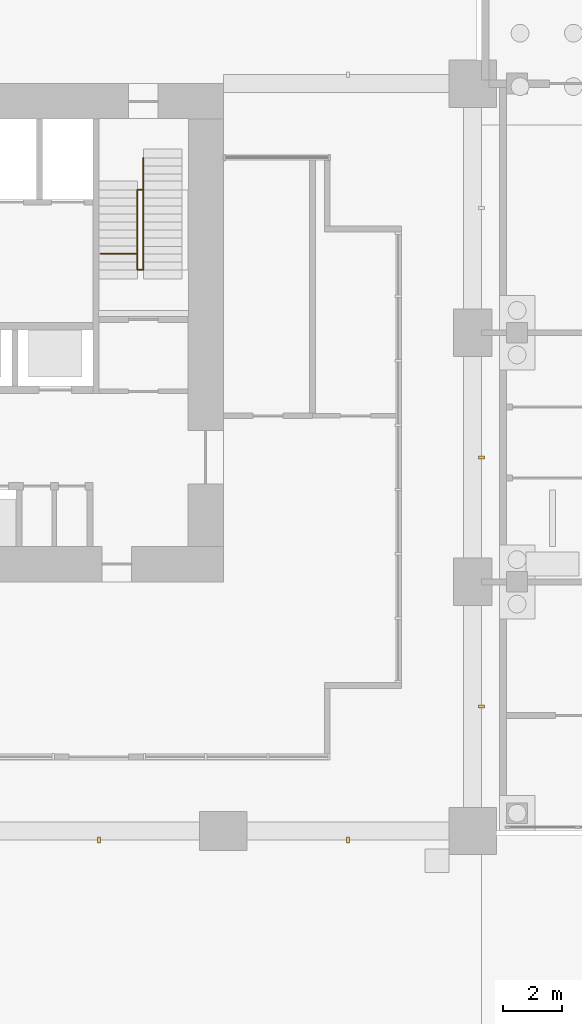
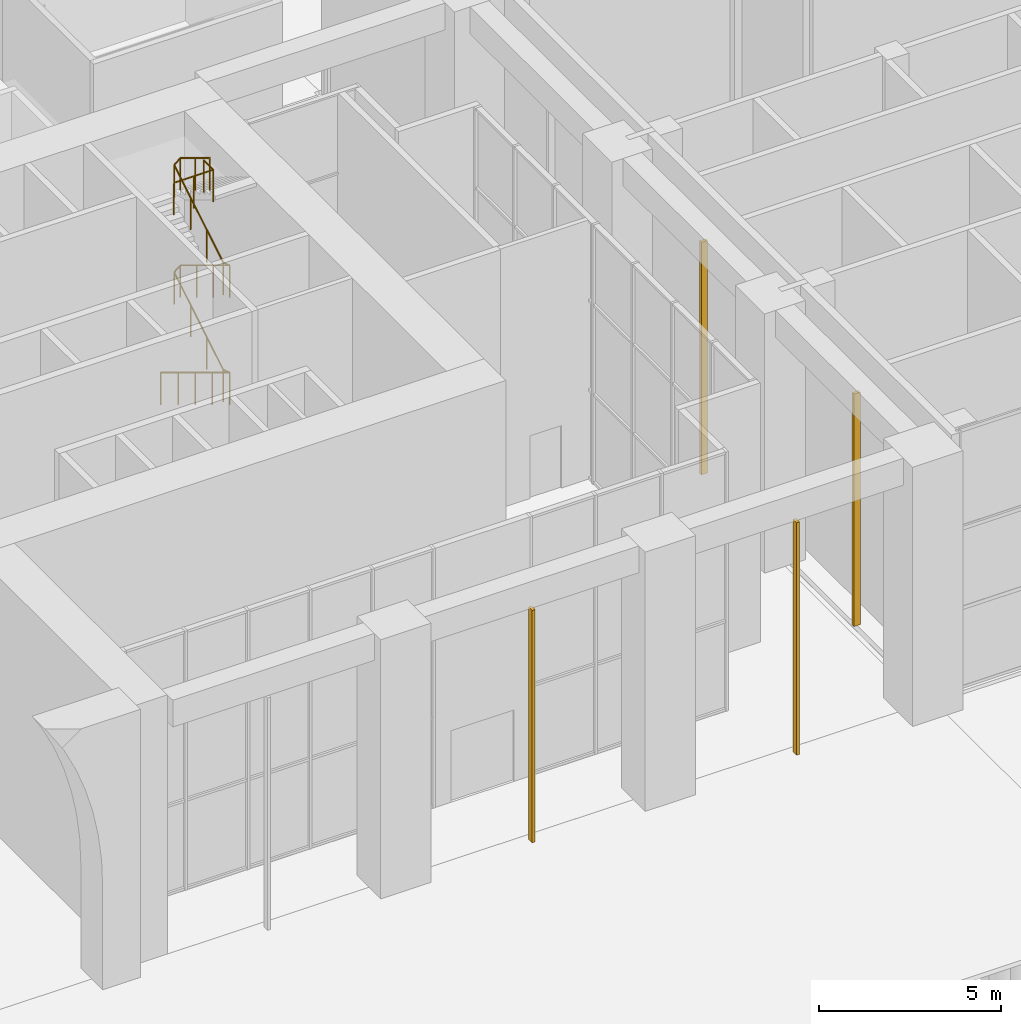
# One storey, part 37 of 46: 4 shading devices, 2 railings.
"""IFC4 building model written with IfcOpenShell, lengths in metres."""

from ifc_helpers import new_model, si_unit, direction, frame, origin, origin_2d, place, context, subcontext, project, spatial, rectangle, circle, extrude, material, material_profile, profile_set, type_object, element, save


model = new_model("IFC4")

# Units and contexts
model_context = context("Model", 3, precision=1e-05, world=origin(), true_north=direction((0.0, 1.0)))
body_context = subcontext(model_context, "Body", "Model", "MODEL_VIEW")
ifc_project = project(units=[si_unit("LENGTHUNIT", "METRE"), si_unit("AREAUNIT", "SQUARE_METRE"), si_unit("VOLUMEUNIT", "CUBIC_METRE"), si_unit("PLANEANGLEUNIT", "RADIAN"), si_unit("MASSUNIT", "GRAM", prefix="KILO")], contexts=[model_context])

# Site, building, storey
site_placement = place(None, origin())
site = spatial("IfcSite", under=ifc_project, at=site_placement, CompositionType="ELEMENT")
building_placement = place(site_placement, origin())
building = spatial("IfcBuilding", under=site, at=building_placement, Name="Vermilion Gate Residences", CompositionType="ELEMENT")
storey_placement = place(building_placement, origin())
storey = spatial("IfcBuildingStorey", under=building, at=storey_placement, Name="L00", CompositionType="ELEMENT", Elevation=0.0)

# Railings
ifc_material_1 = material(Name="Steel S355", Category="steel")
railing_type = type_object("IfcRailingType", Name="STAIR GUARD 1100 STEEL", PredefinedType="GUARDRAIL", material=ifc_material_1)
railing_1_placement = place(storey_placement, frame((56.10009765625, 22.699951171875, 0.16357421875)))
element("IfcRailing", 1, at=railing_1_placement, inside=storey, type_object=railing_type, Name="Stair well guard STA2-00", PredefinedType="GUARDRAIL", context=body_context, shape_type="SweptSolid", body=[
    extrude(circle(Radius=0.02392578125, at=origin_2d()), frame((0.0, 0.0, 1.076171875), z_axis=(0.0, -0.855188928692, 0.518316405531), x_axis=(1.0, 0.0, 0.0)), (0.0, 0.0, 1.0), 4.420166015625),
    extrude(circle(Radius=0.02392578125, at=origin_2d()), frame((0.0, -3.780029296875, 3.3671875), z_axis=(-0.774377884268, 0.0, 0.632723393243), x_axis=(0.0, -1.0, 0.0)), (0.0, 0.0, 1.0), 0.258544921875),
    extrude(circle(Radius=0.02392578125, at=origin_2d()), frame((-0.2001953125, -3.780029296875, 3.53076171875), z_axis=(0.0, 0.85519887015, 0.518300002406), x_axis=(-1.0, 0.0, 0.0)), (0.0, 0.0, 1.0), 3.157470703125),
    extrude(circle(Radius=0.02392578125, at=origin_2d()), frame((-0.2001953125, -1.079833984375, 5.1669921875), z_axis=(0.774377884268, 0.0, 0.632723393243), x_axis=(0.0, 1.0, 0.0)), (0.0, 0.0, 1.0), 0.258544921875),
    extrude(circle(Radius=0.02392578125, at=origin_2d()), frame((0.0, -1.079833984375, 5.33056640625), z_axis=(0.0, -0.855233143301, 0.518243447233), x_axis=(1.0, 0.0, 0.0)), (0.0, 0.0, 1.0), 3.1572265625),
    extrude(circle(Radius=0.02392578125, at=origin_2d()), frame((0.0, -3.780029296875, 6.966796875), z_axis=(-0.773915247043, 0.0, 0.633289183861), x_axis=(0.0, -1.0, 0.0)), (0.0, 0.0, 1.0), 0.2587890625),
    extrude(circle(Radius=0.02392578125, at=origin_2d()), frame((-0.2001953125, -3.780029296875, 7.130859375), z_axis=(0.0, 0.855233143301, 0.518243447233), x_axis=(-1.0, 0.0, 0.0)), (0.0, 0.0, 1.0), 3.1572265625),
    extrude(circle(Radius=0.02392578125, at=origin_2d()), frame((-0.2001953125, -1.079833984375, 8.76708984375), z_axis=(0.774377884268, 0.0, 0.632723393243), x_axis=(0.0, 1.0, 0.0)), (0.0, 0.0, 1.0), 0.258544921875),
    extrude(circle(Radius=0.02392578125, at=origin_2d()), frame((0.0, -1.079833984375, 8.9306640625), z_axis=(0.0, -0.855187445546, 0.51831885262), x_axis=(1.0, 0.0, 0.0)), (0.0, 0.0, 1.0), 1.89453125),
    extrude(circle(Radius=0.02099609375, at=origin_2d()), origin(), (0.0, 0.0, 1.0), 1.052001953125),
    extrude(circle(Radius=0.02099609375, at=origin_2d()), frame((0.0, -0.945068359375, 0.57275390625)), (0.0, 0.0, 1.0), 1.052001953125),
    extrude(circle(Radius=0.02099609375, at=origin_2d()), frame((0.0, -1.89013671875, 1.1455078125)), (0.0, 0.0, 1.0), 1.052001953125),
    extrude(circle(Radius=0.02099609375, at=origin_2d()), frame((0.0, -2.8349609375, 1.71826171875)), (0.0, 0.0, 1.0), 1.052001953125),
    extrude(circle(Radius=0.02099609375, at=origin_2d()), frame((0.0, -3.780029296875, 2.291015625)), (0.0, 0.0, 1.0), 1.052001953125),
    extrude(circle(Radius=0.02099609375, at=origin_2d()), frame((-0.2001953125, -3.780029296875, 2.45458984375)), (0.0, 0.0, 1.0), 1.052001953125),
    extrude(circle(Radius=0.02099609375, at=origin_2d()), frame((-0.2001953125, -2.8798828125, 3.0)), (0.0, 0.0, 1.0), 1.052001953125),
    extrude(circle(Radius=0.02099609375, at=origin_2d()), frame((-0.2001953125, -1.97998046875, 3.545654296875)), (0.0, 0.0, 1.0), 1.052001953125),
    extrude(circle(Radius=0.02099609375, at=origin_2d()), frame((-0.2001953125, -1.079833984375, 4.091064453125)), (0.0, 0.0, 1.0), 1.052001953125),
    extrude(circle(Radius=0.02099609375, at=origin_2d()), frame((0.0, -1.079833984375, 4.254638671875)), (0.0, 0.0, 1.0), 1.052001953125),
    extrude(circle(Radius=0.02099609375, at=origin_2d()), frame((0.0, -1.97998046875, 4.800048828125)), (0.0, 0.0, 1.0), 1.052001953125),
    extrude(circle(Radius=0.02099609375, at=origin_2d()), frame((0.0, -2.8798828125, 5.345458984375)), (0.0, 0.0, 1.0), 1.052001953125),
    extrude(circle(Radius=0.02099609375, at=origin_2d()), frame((0.0, -3.780029296875, 5.890869140625)), (0.0, 0.0, 1.0), 1.052001953125),
    extrude(circle(Radius=0.02099609375, at=origin_2d()), frame((-0.2001953125, -3.780029296875, 6.0546875)), (0.0, 0.0, 1.0), 1.052001953125),
    extrude(circle(Radius=0.02099609375, at=origin_2d()), frame((-0.2001953125, -2.8798828125, 6.60009765625)), (0.0, 0.0, 1.0), 1.052001953125),
    extrude(circle(Radius=0.02099609375, at=origin_2d()), frame((-0.2001953125, -1.97998046875, 7.1455078125)), (0.0, 0.0, 1.0), 1.052001953125),
    extrude(circle(Radius=0.02099609375, at=origin_2d()), frame((-0.2001953125, -1.079833984375, 7.69091796875)), (0.0, 0.0, 1.0), 1.052001953125),
    extrude(circle(Radius=0.02099609375, at=origin_2d()), frame((0.0, -1.079833984375, 7.8544921875)), (0.0, 0.0, 1.0), 1.052001953125),
    extrude(circle(Radius=0.02099609375, at=origin_2d()), frame((0.0, -1.889892578125, 8.345458984375)), (0.0, 0.0, 1.0), 1.052001953125),
    extrude(circle(Radius=0.02099609375, at=origin_2d()), frame((0.0, -2.699951171875, 8.83642578125)), (0.0, 0.0, 1.0), 1.052001953125),
])
railing_2_placement = place(storey_placement, frame((54.64990234375, 19.467529296875, 9.0)))
element("IfcRailing", 2, at=railing_2_placement, inside=storey, type_object=railing_type, Name="Stair opening guard STA2-00 (lane A)", PredefinedType="GUARDRAIL", context=body_context, shape_type="SweptSolid", body=[
    extrude(circle(Radius=0.02392578125, at=origin_2d()), frame((0.0, 0.0, 1.076171875), z_axis=(1.0, 0.0, 0.0), x_axis=(0.0, 1.0, 0.0)), (0.0, 0.0, 1.0), 1.25),
    extrude(circle(Radius=0.02392578125, at=origin_2d()), frame((1.25, 0.0, 1.076171875), z_axis=(0.0, 1.0, 0.0), x_axis=(-1.0, 0.0, 0.0)), (0.0, 0.0, 1.0), 0.532470703125),
    extrude(circle(Radius=0.02099609375, at=origin_2d()), origin(), (0.0, 0.0, 1.0), 1.052001953125),
    extrude(circle(Radius=0.02099609375, at=origin_2d()), frame((0.625, 0.0, 0.0)), (0.0, 0.0, 1.0), 1.052001953125),
    extrude(circle(Radius=0.02099609375, at=origin_2d()), frame((1.25, 0.0, 0.0)), (0.0, 0.0, 1.0), 1.052001953125),
    extrude(circle(Radius=0.02099609375, at=origin_2d()), frame((1.25, 0.532470703125, 0.0)), (0.0, 0.0, 1.0), 1.052001953125),
])

# Shading devices
ifc_material_2 = material(Name="Extruded terracotta", Category="masonry")
ifc_material_profile = material_profile(ifc_material_2, rectangle(XDim=0.199951171875, YDim=0.10009765625, at=origin_2d()), Name="BAGUETTE 100 X 200")
ifc_profile_set = profile_set([ifc_material_profile], Name="Extruded terracotta")
shading_device_type = type_object("IfcShadingDeviceType", Name="TERRACOTTA BAGUETTE 100 X 200", PredefinedType="JALOUSIE", material=ifc_profile_set)
for number, where, z_axis, x_axis, name in (
    (3, (54.60009765625, -0.300048828125, 0.0), (0.0, 0.0, 1.0), (0.0, 1.0, 0.0), "BAGUETTE"),
    (4, (63.0, -0.300048828125, 0.0), (0.0, 0.0, 1.0), (0.0, 1.0, 0.0), "BAGUETTE"),
    (5, (67.5, 4.199951171875, 0.0), (0.0, 0.0, 1.0), (-1.0, 0.0, 0.0), "BAGUETTE"),
    (6, (67.5, 12.60009765625, 0.0), (0.0, 0.0, 1.0), (-1.0, 0.0, 0.0), "BAGUETTE"),
):
    element("IfcShadingDevice", number, at=place(storey_placement, frame(where, z_axis=z_axis, x_axis=x_axis)), inside=storey, type_object=shading_device_type, Name=name, PredefinedType="JALOUSIE", context=body_context, shape_type="SweptSolid", body=[
        extrude(rectangle(XDim=0.199951171875, YDim=0.10009765625, at=origin_2d()), origin(), (0.0, 0.0, 1.0), 7.800048828125),
    ])

save(model, "model.ifc")
